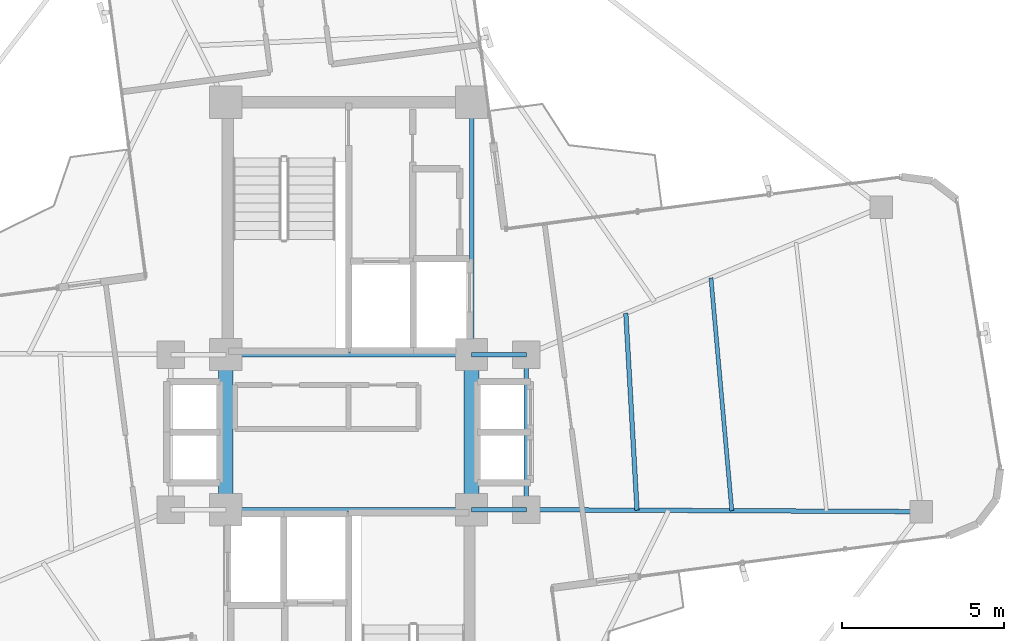
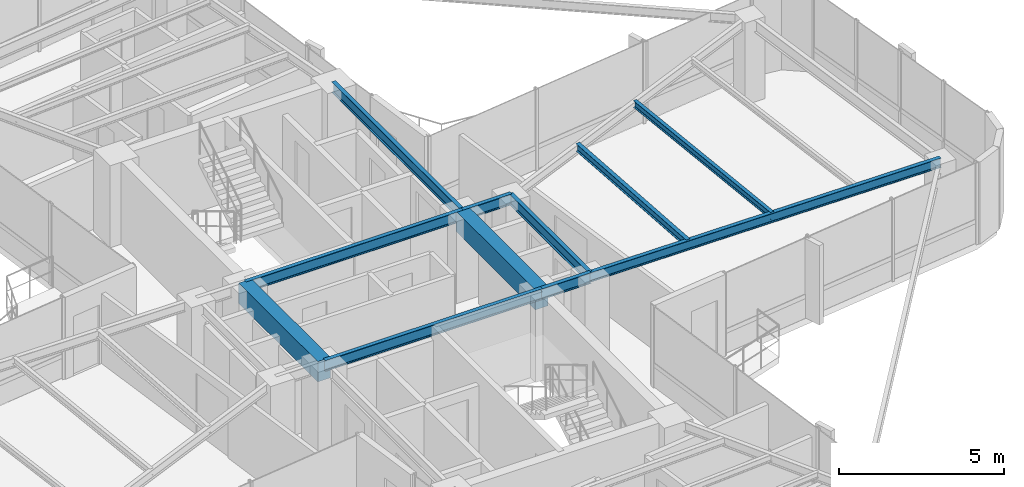
# One storey, part 10 of 22: 11 beams.
"""IFC4 building model written with IfcOpenShell, lengths in metres."""

import ifcopenshell
import ifcopenshell.guid

model = None  # the IFC model being written
_history = None  # IfcOwnerHistory: only IFC2X3 demands one
_inside = {}  # id of a spatial element -> (the spatial element, [elements in it])
_under = {}  # id of a project, library or spatial element -> (it, [spatial elements below it])
_declared = {}  # id of a project -> (the project, [libraries it declares])
_typed = {}  # id of a type object -> (the type object, [elements of that type])
_made_of = {}  # id of a material, layer set ... -> (it, [elements and type objects made of it])


def new_model(schema):
    """Start an empty IFC model of exactly this schema.

    Asked for "IFC4X3", IfcOpenShell would pick the latest addendum, in which some entities
    have other attributes; the version numbers below select the first issue.
    IFC2X3 requires an IfcOwnerHistory on every rooted entity: one is made here for all.
    """
    global model, _history
    if schema == "IFC4X3":
        model = ifcopenshell.file(schema_version=(4, 3, 0, 0))
    else:
        model = ifcopenshell.file(schema=schema)
    _inside.clear()
    _under.clear()
    _declared.clear()
    _typed.clear()
    _made_of.clear()
    _history = None
    if model.schema == "IFC2X3":
        org = make("IfcOrganization", Name="unknown")
        user = make(
            "IfcPersonAndOrganization",
            ThePerson=make("IfcPerson", FamilyName="unknown"),
            TheOrganization=org,
        )
        app = make(
            "IfcApplication",
            ApplicationDeveloper=org,
            Version="unknown",
            ApplicationFullName="unknown",
            ApplicationIdentifier="unknown",
        )
        _history = make(
            "IfcOwnerHistory",
            OwningUser=user,
            OwningApplication=app,
            ChangeAction="ADDED",
            CreationDate=0,
        )
    return model


def make(cls, **values):
    """One entity of the class cls with the attributes given. An attribute that is None is left unset."""
    return model.create_entity(
        cls, **{name: value for name, value in values.items() if value is not None}
    )


def rooted(cls, **values):
    """An entity with a GlobalId (a new one), such as an element, a storey or a relation."""
    return make(cls, GlobalId=ifcopenshell.guid.new(), OwnerHistory=_history, **values)


def si_unit(unit_type, name, prefix=None):
    """IfcSIUnit, for example si_unit("LENGTHUNIT", "METRE", prefix="MILLI")."""
    return make("IfcSIUnit", UnitType=unit_type, Prefix=prefix, Name=name)


def assignment(units):
    """IfcUnitAssignment: the units of a project."""
    return None if units is None else make("IfcUnitAssignment", Units=units)


def point(xyz):
    """IfcCartesianPoint."""
    return None if xyz is None else make("IfcCartesianPoint", Coordinates=xyz)


def direction(xyz):
    """IfcDirection."""
    return None if xyz is None else make("IfcDirection", DirectionRatios=xyz)


def frame(location, z_axis=None, x_axis=None):
    """IfcAxis2Placement3D, a coordinate frame: its origin and axes. An axis left out is left unset."""
    return make(
        "IfcAxis2Placement3D",
        Location=point(location),
        Axis=direction(z_axis),
        RefDirection=direction(x_axis),
    )


def frame_2d(location, x_axis=None):
    """IfcAxis2Placement2D, a coordinate frame in the plane: its origin and x axis."""
    return make(
        "IfcAxis2Placement2D", Location=point(location), RefDirection=direction(x_axis)
    )


def origin():
    """The frame at (0, 0, 0) with its axes left unset."""
    return frame((0.0, 0.0, 0.0))


def origin_2d():
    """The frame at (0, 0) in the plane with its x axis left unset."""
    return frame_2d((0.0, 0.0))


def place(relative_to, where):
    """IfcLocalPlacement: puts the frame where relative to a parent placement (None: the world)."""
    return make(
        "IfcLocalPlacement", PlacementRelTo=relative_to, RelativePlacement=where
    )


def context(
    kind, dimensions, precision=None, world=None, true_north=None, identifier=None
):
    """IfcGeometricRepresentationContext, for example the 3D "Model" context."""
    return make(
        "IfcGeometricRepresentationContext",
        ContextIdentifier=identifier,
        ContextType=kind,
        CoordinateSpaceDimension=dimensions,
        Precision=precision,
        WorldCoordinateSystem=world,
        TrueNorth=true_north,
    )


def subcontext(parent, identifier, kind, view, scale=None):
    """IfcGeometricRepresentationSubContext, for example "Body" below "Model"."""
    return make(
        "IfcGeometricRepresentationSubContext",
        ContextIdentifier=identifier,
        ContextType=kind,
        ParentContext=parent,
        TargetScale=scale,
        TargetView=view,
    )


def project(units=None, contexts=None):
    """IfcProject with its units and contexts."""
    return rooted(
        "IfcProject",
        Name="project",
        RepresentationContexts=contexts,
        UnitsInContext=assignment(units),
    )


def spatial(cls, under=None, at=None, **own):
    """A site, building, storey or space (cls), placed at a placement, below another one or the project."""
    s = rooted(cls, ObjectPlacement=at, **own)
    if under is not None:
        _under.setdefault(under.id(), (under, []))[1].append(s)
    return s


def profile(cls, at=None, kind="AREA", **sizes):
    """A parametric profile (cls). Its sizes go by their IFC names, for example OverallWidth=200.0."""
    return make(cls, ProfileType=kind, Position=at, **sizes)


def rectangle(**sizes):
    """IfcRectangleProfileDef."""
    return profile("IfcRectangleProfileDef", **sizes)


def i_section(**sizes):
    """IfcIShapeProfileDef."""
    return profile("IfcIShapeProfileDef", **sizes)


def extrude(swept, where, along, depth):
    """IfcExtrudedAreaSolid: the profile swept, set in the frame where, extruded along a direction by depth."""
    return make(
        "IfcExtrudedAreaSolid",
        SweptArea=swept,
        Position=where,
        ExtrudedDirection=direction(along),
        Depth=depth,
    )


def shape(context_of_items, identifier, shape_type, items):
    """IfcShapeRepresentation: the items that make up one representation, for example the "Body"."""
    return make(
        "IfcShapeRepresentation",
        ContextOfItems=context_of_items,
        RepresentationIdentifier=identifier,
        RepresentationType=shape_type,
        Items=items,
    )


def source(mapping_origin, context_of_items, identifier, shape_type, items):
    """IfcRepresentationMap: a shape defined once, which mapped items show again and again."""
    return make(
        "IfcRepresentationMap",
        MappingOrigin=mapping_origin,
        MappedRepresentation=shape(context_of_items, identifier, shape_type, items),
    )


def transform(
    local_origin,
    x_axis=None,
    y_axis=None,
    z_axis=None,
    scale=None,
    scale2=None,
    scale3=None,
    uniform=True,
):
    """IfcCartesianTransformationOperator3D, or its non-uniform kind. x_axis, y_axis, z_axis: its Axis1, 2, 3."""
    if uniform:
        return make(
            "IfcCartesianTransformationOperator3D",
            Axis1=direction(x_axis),
            Axis2=direction(y_axis),
            LocalOrigin=point(local_origin),
            Scale=scale,
            Axis3=direction(z_axis),
        )
    return make(
        "IfcCartesianTransformationOperator3DnonUniform",
        Axis1=direction(x_axis),
        Axis2=direction(y_axis),
        LocalOrigin=point(local_origin),
        Scale=scale,
        Axis3=direction(z_axis),
        Scale2=scale2,
        Scale3=scale3,
    )


def mapped(mapping_source, mapping_target):
    """IfcMappedItem: shows the shape of a source again, moved by a transform."""
    return make(
        "IfcMappedItem", MappingSource=mapping_source, MappingTarget=mapping_target
    )


def material(Name=None, Category=None):
    """IfcMaterial."""
    return make("IfcMaterial", Name=Name, Category=Category)


def material_profile(
    of_material, cross_section, Name=None, Category=None, Priority=None
):
    """IfcMaterialProfile: a cross section and its material."""
    return make(
        "IfcMaterialProfile",
        Name=Name,
        Material=of_material,
        Profile=cross_section,
        Priority=Priority,
        Category=Category,
    )


def profile_set(profiles, Name=None, composite=None):
    """IfcMaterialProfileSet."""
    return make(
        "IfcMaterialProfileSet",
        Name=Name,
        MaterialProfiles=profiles,
        CompositeProfile=composite,
    )


def made_of(thing, what):
    """Note that an element or type object is made of a material, layer set ...; save() writes the relation."""
    if what is not None:
        _made_of.setdefault(what.id(), (what, []))[1].append(thing)
    return thing


def type_object(cls, material=None, **own):
    """A type object (cls), such as IfcWallType, which elements share."""
    return made_of(rooted(cls, **own), material)


def element(
    cls,
    number,
    at=None,
    inside=None,
    cuts=None,
    type_object=None,
    material=None,
    context=None,
    identifier="Body",
    shape_type=None,
    held_by="IfcProductDefinitionShape",
    body=None,
    shapes=None,
    **own,
):
    """One element of the class cls, such as IfcWall. Its Tag is "e" and its number.

    at: its placement. inside: the storey or other place that contains it. cuts: it is an
    opening in that element (IfcRelVoidsElement). A single representation is given by context,
    identifier, shape_type and body (its items); several are given by shapes. held_by: the class
    of the entity that holds the representations. save() writes the other relations.
    """
    e = rooted(cls, Tag="e%d" % number, ObjectPlacement=at, **own)
    if body is not None:
        shapes = [shape(context, identifier, shape_type, body)]
    if shapes is not None:
        e.Representation = make(held_by, Representations=shapes)
    if inside is not None:
        _inside.setdefault(inside.id(), (inside, []))[1].append(e)
    if cuts is not None:
        rooted(
            "IfcRelVoidsElement", RelatingBuildingElement=cuts, RelatedOpeningElement=e
        )
    if type_object is not None:
        _typed.setdefault(type_object.id(), (type_object, []))[1].append(e)
    return made_of(e, material)


def aggregate(whole, parts):
    """IfcRelAggregates: a whole, such as a stair, and the parts it consists of."""
    return rooted("IfcRelAggregates", RelatingObject=whole, RelatedObjects=parts)


def save(model, path):
    """Write the relations noted so far, then the file.

    IfcRelAggregates (storeys below a building ...), IfcRelContainedInSpatialStructure (elements
    in a storey), IfcRelDefinesByType, IfcRelAssociatesMaterial and IfcRelDeclares: one each for
    every whole, place, type object, material and project.
    """
    for whole, parts in _under.values():
        aggregate(whole, parts)
    for where, things in _inside.values():
        rooted(
            "IfcRelContainedInSpatialStructure",
            RelatedElements=things,
            RelatingStructure=where,
        )
    for kind, things in _typed.values():
        rooted("IfcRelDefinesByType", RelatedObjects=things, RelatingType=kind)
    for what, things in _made_of.values():
        rooted("IfcRelAssociatesMaterial", RelatedObjects=things, RelatingMaterial=what)
    for by, libraries in _declared.values():
        rooted("IfcRelDeclares", RelatingContext=by, RelatedDefinitions=libraries)
    model.write(path)


model = new_model("IFC4")

# Units and contexts
model_context = context("Model", 3, precision=1e-05, world=origin(), true_north=direction((0.0, 1.0)))
body_context = subcontext(model_context, "Body", "Model", "MODEL_VIEW")
ifc_project = project(units=[si_unit("LENGTHUNIT", "METRE"), si_unit("AREAUNIT", "SQUARE_METRE"), si_unit("VOLUMEUNIT", "CUBIC_METRE"), si_unit("PLANEANGLEUNIT", "RADIAN"), si_unit("MASSUNIT", "GRAM", prefix="KILO")], contexts=[model_context])

# Site, building, storey
site_placement = place(None, origin())
site = spatial("IfcSite", under=ifc_project, at=site_placement, CompositionType="ELEMENT")
building_placement = place(site_placement, origin())
building = spatial("IfcBuilding", under=site, at=building_placement, Name="Sahyath Konkavel Grand Hotel", CompositionType="ELEMENT")
storey_placement = place(building_placement, frame((0.0, 0.0, 261.25)))
storey = spatial("IfcBuildingStorey", under=building, at=storey_placement, Name="L73", CompositionType="ELEMENT", Elevation=261.25)

# Beams
ifc_material_1 = material(Name="Steel E350", Category="steel")
ifc_material_profile_1 = material_profile(ifc_material_1, i_section(OverallWidth=0.139892578125, OverallDepth=0.39990234375, WebThickness=0.0087890625, FlangeThickness=0.01611328125, FilletRadius=0.013916015625, at=origin_2d()), Name="ISMB 400")
ifc_profile_set_1 = profile_set([ifc_material_profile_1], Name="Steel E350")
beam_type_1 = type_object("IfcBeamType", Name="BM-ISMB400", PredefinedType="BEAM", material=ifc_profile_set_1)
shared_shape_1 = source(origin(), body_context, "Body", "SweptSolid", [
    extrude(i_section(OverallWidth=0.139892578125, OverallDepth=0.39990234375, WebThickness=0.0087890625, FlangeThickness=0.01611328125, FilletRadius=0.013916015625, at=origin_2d()), origin(), (0.0, 0.0, 1.0), 7.60009765625),
])
for number, where, z_axis, x_axis, name in (
    (1, (-3.800048828125, 2.39990234375, 2.830078125), (1.0, 0.0, 0.0), (0.0, 1.0, 0.0), "str:bm:L73:NC-S"),
    (2, (-3.800048828125, -2.39990234375, 2.830078125), (1.0, 0.0, 0.0), (0.0, 1.0, 0.0), "str:bm:L73:SC-N"),
):
    element("IfcBeam", number, at=place(storey_placement, frame(where, z_axis=z_axis, x_axis=x_axis)), inside=storey, type_object=beam_type_1, Name=name, PredefinedType="BEAM", context=body_context, shape_type="MappedRepresentation", body=[
        mapped(shared_shape_1, transform((0.0, 0.0, 0.0), scale=1.0)),
    ])
shared_shape_2 = source(origin(), body_context, "Body", "SweptSolid", [
    extrude(i_section(OverallWidth=0.139892578125, OverallDepth=0.39990234375, WebThickness=0.0087890625, FlangeThickness=0.01611328125, FilletRadius=0.013916015625, at=origin_2d()), origin(), (0.0, 0.0, 1.0), 7.800048828125),
])
beam_1_placement = place(storey_placement, frame((3.800048828125, 2.39990234375, 2.830078125), z_axis=(0.0, 1.0, 0.0), x_axis=(-1.0, 0.0, 0.0)))
element("IfcBeam", 3, at=beam_1_placement, inside=storey, type_object=beam_type_1, Name="str:bm:L73:NC-E", PredefinedType="BEAM", context=body_context, shape_type="MappedRepresentation", body=[
    mapped(shared_shape_2, transform((0.0, 0.0, 0.0), scale=1.0)),
])
shared_shape_3 = source(origin(), body_context, "Body", "SweptSolid", [
    extrude(i_section(OverallWidth=0.139892578125, OverallDepth=0.39990234375, WebThickness=0.0087890625, FlangeThickness=0.01611328125, FilletRadius=0.013916015625, at=origin_2d()), origin(), (0.0, 0.0, 1.0), 1.699951171875),
])
for number, where, z_axis, x_axis, name in (
    (4, (3.800048828125, 2.39990234375, 2.830078125), (1.0, 0.0, 0.0), (0.0, 1.0, 0.0), "str:bm:L73:HB-NE"),
    (5, (3.800048828125, -2.39990234375, 2.830078125), (1.0, 0.0, 0.0), (0.0, 1.0, 0.0), "str:bm:L73:HB-SE"),
):
    element("IfcBeam", number, at=place(storey_placement, frame(where, z_axis=z_axis, x_axis=x_axis)), inside=storey, type_object=beam_type_1, Name=name, PredefinedType="BEAM", context=body_context, shape_type="MappedRepresentation", body=[
        mapped(shared_shape_3, transform((0.0, 0.0, 0.0), scale=1.0)),
    ])
shared_shape_4 = source(origin(), body_context, "Body", "SweptSolid", [
    extrude(i_section(OverallWidth=0.139892578125, OverallDepth=0.39990234375, WebThickness=0.0087890625, FlangeThickness=0.01611328125, FilletRadius=0.013916015625, at=origin_2d()), origin(), (0.0, 0.0, 1.0), 4.7998046875),
])
beam_2_placement = place(storey_placement, frame((5.5, -2.39990234375, 2.830078125), z_axis=(0.0, 1.0, 0.0), x_axis=(-1.0, 0.0, 0.0)))
element("IfcBeam", 6, at=beam_2_placement, inside=storey, type_object=beam_type_1, Name="str:bm:L73:HB-E", PredefinedType="BEAM", context=body_context, shape_type="MappedRepresentation", body=[
    mapped(shared_shape_4, transform((0.0, 0.0, 0.0), scale=1.0)),
])
ifc_material_2 = material(Name="Concrete C40/50", Category="concrete")
ifc_material_profile_2 = material_profile(ifc_material_2, rectangle(XDim=0.449951171875, YDim=0.75, at=origin_2d()), Name="RC 450x750")
ifc_profile_set_2 = profile_set([ifc_material_profile_2], Name="Concrete C40/50")
beam_type_2 = type_object("IfcBeamType", Name="BM-CB450x750", PredefinedType="LINTEL", material=ifc_profile_set_2)
shared_shape_5 = source(origin(), body_context, "Body", "SweptSolid", [
    extrude(rectangle(XDim=0.449951171875, YDim=0.75, at=origin_2d()), origin(), (0.0, 0.0, 1.0), 4.7998046875),
])
for number, where, z_axis, x_axis, name in (
    (7, (-3.800048828125, -2.39990234375, 2.655029296875), (0.0, 1.0, 0.0), (-1.0, 0.0, 0.0), "L73 Split-Core Coupling Beam West"),
    (8, (3.800048828125, -2.39990234375, 2.655029296875), (0.0, 1.0, 0.0), (-1.0, 0.0, 0.0), "L73 Split-Core Coupling Beam East"),
):
    element("IfcBeam", number, at=place(storey_placement, frame(where, z_axis=z_axis, x_axis=x_axis)), inside=storey, type_object=beam_type_2, Name=name, PredefinedType="LINTEL", context=body_context, shape_type="MappedRepresentation", body=[
        mapped(shared_shape_5, transform((0.0, 0.0, 0.0), scale=1.0)),
    ])
ifc_material_profile_3 = material_profile(ifc_material_1, i_section(OverallWidth=0.139892578125, OverallDepth=0.35009765625, WebThickness=0.008056640625, FlangeThickness=0.01416015625, FilletRadius=0.013916015625, at=origin_2d()), Name="ISMB 350")
ifc_profile_set_3 = profile_set([ifc_material_profile_3], Name="Steel E350")
beam_type_3 = type_object("IfcBeamType", Name="BM-ISMB350", PredefinedType="BEAM", material=ifc_profile_set_3)
shared_shape_6 = source(origin(), body_context, "Body", "SweptSolid", [
    extrude(i_section(OverallWidth=0.139892578125, OverallDepth=0.35009765625, WebThickness=0.008056640625, FlangeThickness=0.01416015625, FilletRadius=0.013916015625, at=origin_2d()), origin(), (0.0, 0.0, 1.0), 12.212646484375),
])
beam_3_placement = place(storey_placement, frame((5.5, -2.39990234375, 2.85498046875), z_axis=(0.999988297706, -0.004837814722, 0.0), x_axis=(0.004837814722, 0.999988297706, 0.0)))
element("IfcBeam", 9, at=beam_3_placement, inside=storey, type_object=beam_type_3, Name="L73 Cruciform Radial Girder EA", PredefinedType="BEAM", context=body_context, shape_type="MappedRepresentation", body=[
    mapped(shared_shape_6, transform((0.0, 0.0, 0.0), scale=1.0)),
])
ifc_material_profile_4 = material_profile(ifc_material_1, i_section(OverallWidth=0.139892578125, OverallDepth=0.27490234375, WebThickness=0.00634765625, FlangeThickness=0.0087890625, FilletRadius=0.012939453125, at=origin_2d()), Name="ISLB 275")
ifc_profile_set_4 = profile_set([ifc_material_profile_4], Name="Steel E350")
beam_type_4 = type_object("IfcBeamType", Name="BM-ISLB275", PredefinedType="BEAM", material=ifc_profile_set_4)
shared_shape_7 = source(origin(), body_context, "Body", "SweptSolid", [
    extrude(i_section(OverallWidth=0.139892578125, OverallDepth=0.27490234375, WebThickness=0.00634765625, FlangeThickness=0.0087890625, FilletRadius=0.012939453125, at=origin_2d()), origin(), (0.0, 0.0, 1.0), 6.10302734375),
])
beam_4_placement = place(storey_placement, frame((8.91943359375, -2.41650390625, 2.892578125), z_axis=(-0.056883465537, 0.99838082481, 0.0), x_axis=(-0.99838082481, -0.056883465537, 0.0)))
element("IfcBeam", 10, at=beam_4_placement, inside=storey, type_object=beam_type_4, Name="L73 Secondary Floor Beam E-1", PredefinedType="BEAM", context=body_context, shape_type="MappedRepresentation", body=[
    mapped(shared_shape_7, transform((0.0, 0.0, 0.0), scale=1.0)),
])
ifc_material_profile_5 = material_profile(ifc_material_1, i_section(OverallWidth=0.125, OverallDepth=0.25, WebThickness=0.0068359375, FlangeThickness=0.012451171875, FilletRadius=0.012939453125, at=origin_2d()), Name="ISMB 250")
ifc_profile_set_5 = profile_set([ifc_material_profile_5], Name="Steel E350")
beam_type_5 = type_object("IfcBeamType", Name="BM-ISMB250", PredefinedType="BEAM", material=ifc_profile_set_5)
shared_shape_8 = source(origin(), body_context, "Body", "SweptSolid", [
    extrude(i_section(OverallWidth=0.125, OverallDepth=0.25, WebThickness=0.0068359375, FlangeThickness=0.012451171875, FilletRadius=0.012939453125, at=origin_2d()), origin(), (0.0, 0.0, 1.0), 7.23046875),
])
beam_5_placement = place(storey_placement, frame((11.8505859375, -2.4306640625, 2.905029296875), z_axis=(-0.089174799421, 0.996015991412, 0.0), x_axis=(-0.996015991412, -0.089174799421, 0.0)))
element("IfcBeam", 11, at=beam_5_placement, inside=storey, type_object=beam_type_5, Name="L73 Secondary Floor Beam E-2", PredefinedType="BEAM", context=body_context, shape_type="MappedRepresentation", body=[
    mapped(shared_shape_8, transform((0.0, 0.0, 0.0), scale=1.0)),
])

save(model, "model.ifc")
